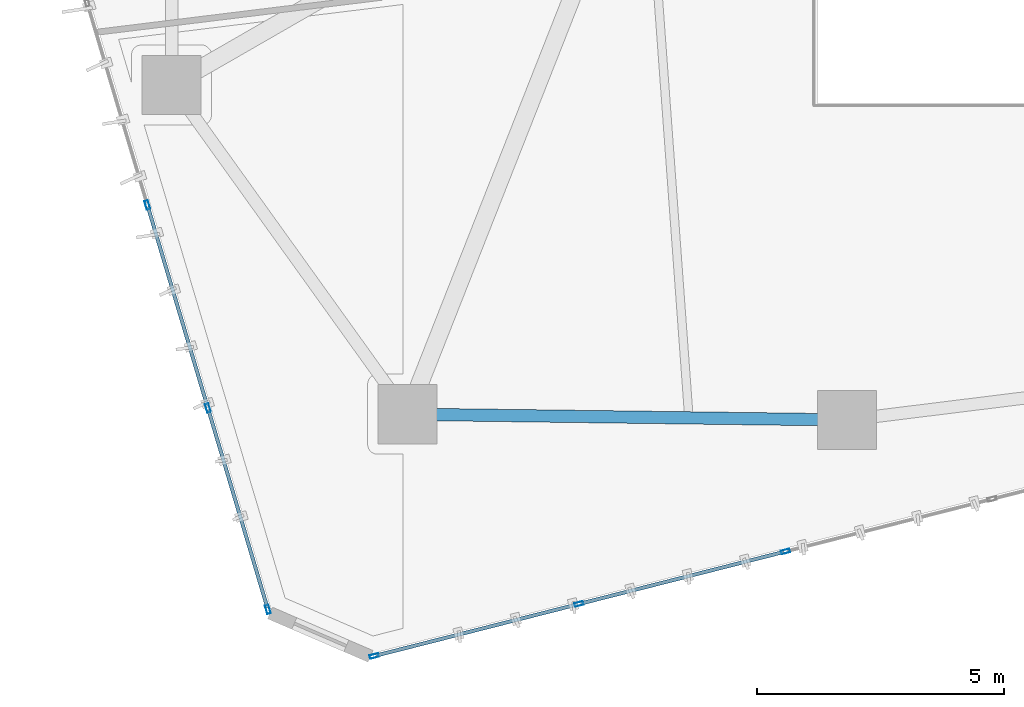
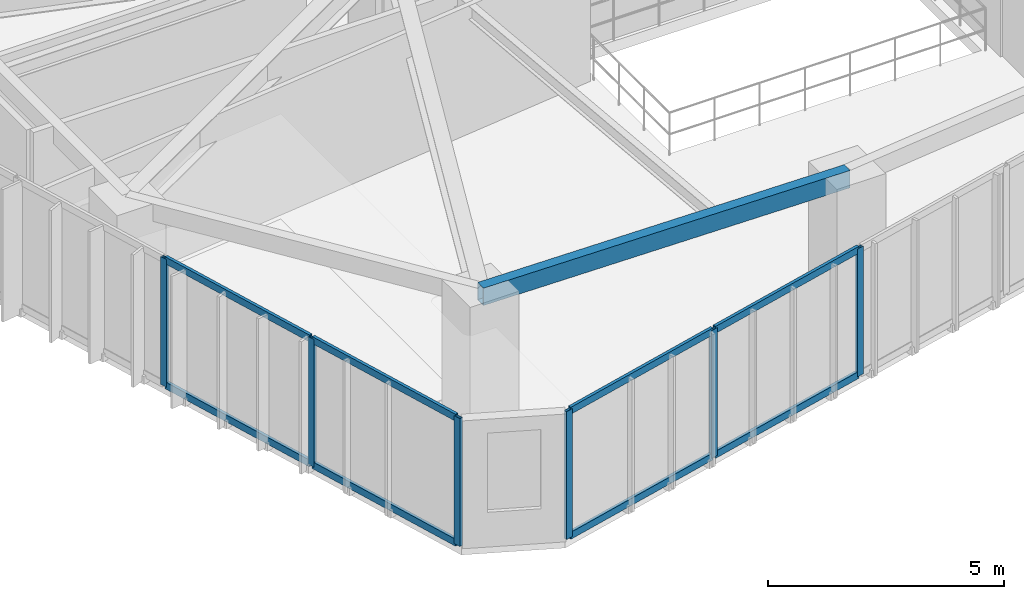
# One storey, part 2 of 20: 14 members, 1 beam, 2 elements without a shape of their own.
"""IFC4 building model written with IfcOpenShell, lengths in metres."""

import ifcopenshell
import ifcopenshell.guid

model = None  # the IFC model being written
_history = None  # IfcOwnerHistory: only IFC2X3 demands one
_inside = {}  # id of a spatial element -> (the spatial element, [elements in it])
_under = {}  # id of a project, library or spatial element -> (it, [spatial elements below it])
_declared = {}  # id of a project -> (the project, [libraries it declares])
_typed = {}  # id of a type object -> (the type object, [elements of that type])
_made_of = {}  # id of a material, layer set ... -> (it, [elements and type objects made of it])


def new_model(schema):
    """Start an empty IFC model of exactly this schema.

    Asked for "IFC4X3", IfcOpenShell would pick the latest addendum, in which some entities
    have other attributes; the version numbers below select the first issue.
    IFC2X3 requires an IfcOwnerHistory on every rooted entity: one is made here for all.
    """
    global model, _history
    if schema == "IFC4X3":
        model = ifcopenshell.file(schema_version=(4, 3, 0, 0))
    else:
        model = ifcopenshell.file(schema=schema)
    _inside.clear()
    _under.clear()
    _declared.clear()
    _typed.clear()
    _made_of.clear()
    _history = None
    if model.schema == "IFC2X3":
        org = make("IfcOrganization", Name="unknown")
        user = make(
            "IfcPersonAndOrganization",
            ThePerson=make("IfcPerson", FamilyName="unknown"),
            TheOrganization=org,
        )
        app = make(
            "IfcApplication",
            ApplicationDeveloper=org,
            Version="unknown",
            ApplicationFullName="unknown",
            ApplicationIdentifier="unknown",
        )
        _history = make(
            "IfcOwnerHistory",
            OwningUser=user,
            OwningApplication=app,
            ChangeAction="ADDED",
            CreationDate=0,
        )
    return model


def make(cls, **values):
    """One entity of the class cls with the attributes given. An attribute that is None is left unset."""
    return model.create_entity(
        cls, **{name: value for name, value in values.items() if value is not None}
    )


def rooted(cls, **values):
    """An entity with a GlobalId (a new one), such as an element, a storey or a relation."""
    return make(cls, GlobalId=ifcopenshell.guid.new(), OwnerHistory=_history, **values)


def si_unit(unit_type, name, prefix=None):
    """IfcSIUnit, for example si_unit("LENGTHUNIT", "METRE", prefix="MILLI")."""
    return make("IfcSIUnit", UnitType=unit_type, Prefix=prefix, Name=name)


def assignment(units):
    """IfcUnitAssignment: the units of a project."""
    return None if units is None else make("IfcUnitAssignment", Units=units)


def point(xyz):
    """IfcCartesianPoint."""
    return None if xyz is None else make("IfcCartesianPoint", Coordinates=xyz)


def direction(xyz):
    """IfcDirection."""
    return None if xyz is None else make("IfcDirection", DirectionRatios=xyz)


def frame(location, z_axis=None, x_axis=None):
    """IfcAxis2Placement3D, a coordinate frame: its origin and axes. An axis left out is left unset."""
    return make(
        "IfcAxis2Placement3D",
        Location=point(location),
        Axis=direction(z_axis),
        RefDirection=direction(x_axis),
    )


def frame_2d(location, x_axis=None):
    """IfcAxis2Placement2D, a coordinate frame in the plane: its origin and x axis."""
    return make(
        "IfcAxis2Placement2D", Location=point(location), RefDirection=direction(x_axis)
    )


def origin():
    """The frame at (0, 0, 0) with its axes left unset."""
    return frame((0.0, 0.0, 0.0))


def origin_2d():
    """The frame at (0, 0) in the plane with its x axis left unset."""
    return frame_2d((0.0, 0.0))


def place(relative_to, where):
    """IfcLocalPlacement: puts the frame where relative to a parent placement (None: the world)."""
    return make(
        "IfcLocalPlacement", PlacementRelTo=relative_to, RelativePlacement=where
    )


def context(
    kind, dimensions, precision=None, world=None, true_north=None, identifier=None
):
    """IfcGeometricRepresentationContext, for example the 3D "Model" context."""
    return make(
        "IfcGeometricRepresentationContext",
        ContextIdentifier=identifier,
        ContextType=kind,
        CoordinateSpaceDimension=dimensions,
        Precision=precision,
        WorldCoordinateSystem=world,
        TrueNorth=true_north,
    )


def subcontext(parent, identifier, kind, view, scale=None):
    """IfcGeometricRepresentationSubContext, for example "Body" below "Model"."""
    return make(
        "IfcGeometricRepresentationSubContext",
        ContextIdentifier=identifier,
        ContextType=kind,
        ParentContext=parent,
        TargetScale=scale,
        TargetView=view,
    )


def project(units=None, contexts=None):
    """IfcProject with its units and contexts."""
    return rooted(
        "IfcProject",
        Name="project",
        RepresentationContexts=contexts,
        UnitsInContext=assignment(units),
    )


def spatial(cls, under=None, at=None, **own):
    """A site, building, storey or space (cls), placed at a placement, below another one or the project."""
    s = rooted(cls, ObjectPlacement=at, **own)
    if under is not None:
        _under.setdefault(under.id(), (under, []))[1].append(s)
    return s


def profile(cls, at=None, kind="AREA", **sizes):
    """A parametric profile (cls). Its sizes go by their IFC names, for example OverallWidth=200.0."""
    return make(cls, ProfileType=kind, Position=at, **sizes)


def hollow_rectangle(**sizes):
    """IfcRectangleHollowProfileDef."""
    return profile("IfcRectangleHollowProfileDef", **sizes)


def extrude(swept, where, along, depth):
    """IfcExtrudedAreaSolid: the profile swept, set in the frame where, extruded along a direction by depth."""
    return make(
        "IfcExtrudedAreaSolid",
        SweptArea=swept,
        Position=where,
        ExtrudedDirection=direction(along),
        Depth=depth,
    )


def shape(context_of_items, identifier, shape_type, items):
    """IfcShapeRepresentation: the items that make up one representation, for example the "Body"."""
    return make(
        "IfcShapeRepresentation",
        ContextOfItems=context_of_items,
        RepresentationIdentifier=identifier,
        RepresentationType=shape_type,
        Items=items,
    )


def source(mapping_origin, context_of_items, identifier, shape_type, items):
    """IfcRepresentationMap: a shape defined once, which mapped items show again and again."""
    return make(
        "IfcRepresentationMap",
        MappingOrigin=mapping_origin,
        MappedRepresentation=shape(context_of_items, identifier, shape_type, items),
    )


def transform(
    local_origin,
    x_axis=None,
    y_axis=None,
    z_axis=None,
    scale=None,
    scale2=None,
    scale3=None,
    uniform=True,
):
    """IfcCartesianTransformationOperator3D, or its non-uniform kind. x_axis, y_axis, z_axis: its Axis1, 2, 3."""
    if uniform:
        return make(
            "IfcCartesianTransformationOperator3D",
            Axis1=direction(x_axis),
            Axis2=direction(y_axis),
            LocalOrigin=point(local_origin),
            Scale=scale,
            Axis3=direction(z_axis),
        )
    return make(
        "IfcCartesianTransformationOperator3DnonUniform",
        Axis1=direction(x_axis),
        Axis2=direction(y_axis),
        LocalOrigin=point(local_origin),
        Scale=scale,
        Axis3=direction(z_axis),
        Scale2=scale2,
        Scale3=scale3,
    )


def mapped(mapping_source, mapping_target):
    """IfcMappedItem: shows the shape of a source again, moved by a transform."""
    return make(
        "IfcMappedItem", MappingSource=mapping_source, MappingTarget=mapping_target
    )


def material(Name=None, Category=None):
    """IfcMaterial."""
    return make("IfcMaterial", Name=Name, Category=Category)


def layer(
    of_material, thickness, ventilated=None, Name=None, Category=None, Priority=None
):
    """IfcMaterialLayer: one layer of a wall or slab, of a material (None: an air gap)."""
    return make(
        "IfcMaterialLayer",
        Material=of_material,
        LayerThickness=thickness,
        IsVentilated=ventilated,
        Name=Name,
        Category=Category,
        Priority=Priority,
    )


def layer_set(layers, Name=None):
    """IfcMaterialLayerSet."""
    return make("IfcMaterialLayerSet", MaterialLayers=layers, LayerSetName=Name)


def material_profile(
    of_material, cross_section, Name=None, Category=None, Priority=None
):
    """IfcMaterialProfile: a cross section and its material."""
    return make(
        "IfcMaterialProfile",
        Name=Name,
        Material=of_material,
        Profile=cross_section,
        Priority=Priority,
        Category=Category,
    )


def profile_set(profiles, Name=None, composite=None):
    """IfcMaterialProfileSet."""
    return make(
        "IfcMaterialProfileSet",
        Name=Name,
        MaterialProfiles=profiles,
        CompositeProfile=composite,
    )


def made_of(thing, what):
    """Note that an element or type object is made of a material, layer set ...; save() writes the relation."""
    if what is not None:
        _made_of.setdefault(what.id(), (what, []))[1].append(thing)
    return thing


def type_object(cls, material=None, **own):
    """A type object (cls), such as IfcWallType, which elements share."""
    return made_of(rooted(cls, **own), material)


def type_shapes(of_type, sources):
    """Give a type object the sources (RepresentationMaps) that its elements show as mapped items."""
    of_type.RepresentationMaps = sources


def element(
    cls,
    number,
    at=None,
    inside=None,
    cuts=None,
    type_object=None,
    material=None,
    context=None,
    identifier="Body",
    shape_type=None,
    held_by="IfcProductDefinitionShape",
    body=None,
    shapes=None,
    **own,
):
    """One element of the class cls, such as IfcWall. Its Tag is "e" and its number.

    at: its placement. inside: the storey or other place that contains it. cuts: it is an
    opening in that element (IfcRelVoidsElement). A single representation is given by context,
    identifier, shape_type and body (its items); several are given by shapes. held_by: the class
    of the entity that holds the representations. save() writes the other relations.
    """
    e = rooted(cls, Tag="e%d" % number, ObjectPlacement=at, **own)
    if body is not None:
        shapes = [shape(context, identifier, shape_type, body)]
    if shapes is not None:
        e.Representation = make(held_by, Representations=shapes)
    if inside is not None:
        _inside.setdefault(inside.id(), (inside, []))[1].append(e)
    if cuts is not None:
        rooted(
            "IfcRelVoidsElement", RelatingBuildingElement=cuts, RelatedOpeningElement=e
        )
    if type_object is not None:
        _typed.setdefault(type_object.id(), (type_object, []))[1].append(e)
    return made_of(e, material)


def aggregate(whole, parts):
    """IfcRelAggregates: a whole, such as a stair, and the parts it consists of."""
    return rooted("IfcRelAggregates", RelatingObject=whole, RelatedObjects=parts)


def save(model, path):
    """Write the relations noted so far, then the file.

    IfcRelAggregates (storeys below a building ...), IfcRelContainedInSpatialStructure (elements
    in a storey), IfcRelDefinesByType, IfcRelAssociatesMaterial and IfcRelDeclares: one each for
    every whole, place, type object, material and project.
    """
    for whole, parts in _under.values():
        aggregate(whole, parts)
    for where, things in _inside.values():
        rooted(
            "IfcRelContainedInSpatialStructure",
            RelatedElements=things,
            RelatingStructure=where,
        )
    for kind, things in _typed.values():
        rooted("IfcRelDefinesByType", RelatedObjects=things, RelatingType=kind)
    for what, things in _made_of.values():
        rooted("IfcRelAssociatesMaterial", RelatedObjects=things, RelatingMaterial=what)
    for by, libraries in _declared.values():
        rooted("IfcRelDeclares", RelatingContext=by, RelatedDefinitions=libraries)
    model.write(path)


model = new_model("IFC4")

# Units and contexts
model_context = context("Model", 3, precision=1e-05, world=origin(), true_north=direction((0.0, 1.0)))
body_context = subcontext(model_context, "Body", "Model", "MODEL_VIEW")
ifc_project = project(units=[si_unit("LENGTHUNIT", "METRE"), si_unit("AREAUNIT", "SQUARE_METRE"), si_unit("VOLUMEUNIT", "CUBIC_METRE"), si_unit("PLANEANGLEUNIT", "RADIAN"), si_unit("MASSUNIT", "GRAM", prefix="KILO")], contexts=[model_context])

# Site, building, storey
site_placement = place(None, origin())
site = spatial("IfcSite", under=ifc_project, at=site_placement, CompositionType="ELEMENT")
building_placement = place(site_placement, origin())
building = spatial("IfcBuilding", under=site, at=building_placement, Name="Talar Marvaseh", CompositionType="ELEMENT")
storey_placement = place(building_placement, frame((0.0, 0.0, 132.60009765625)))
storey = spatial("IfcBuildingStorey", under=building, at=storey_placement, Name="L34", CompositionType="ELEMENT", Elevation=132.60009765625)

# Beam
ifc_material_1 = material(Name="Steel S355", Category="steel")
ifc_material_profile_1 = material_profile(ifc_material_1, hollow_rectangle(XDim=0.25, YDim=0.449951171875, WallThickness=0.01611328125, at=origin_2d()), Name="RHS450x250x16")
ifc_profile_set_1 = profile_set([ifc_material_profile_1], Name="Steel S355")
beam_type = type_object("IfcBeamType", Name="Zone 2 Perimeter Spandrel Beam RHS450x250x16", PredefinedType="SPANDREL", material=ifc_profile_set_1)
beam_placement = place(storey_placement, frame((22.804931640625, 13.18310546875, 3.0849609375), z_axis=(-0.999915383581, 0.013008677034, 0.0), x_axis=(-0.013008677034, -0.999915383581, 0.0)))
element("IfcBeam", 1, at=beam_placement, inside=storey, type_object=beam_type, Name="L34 Zone 2 Perimeter Spandrel Beam RHS450x250x16", PredefinedType="SPANDREL", context=body_context, shape_type="SweptSolid", body=[
    extrude(hollow_rectangle(XDim=0.25, YDim=0.449951171875, WallThickness=0.01611328125, at=origin_2d()), origin(), (0.0, 0.0, 1.0), 8.91455078125),
])

# Curtain wall, members
ifc_material_2 = material(Name="Architectural Aluminium", Category="aluminium")
ifc_layer = layer(ifc_material_2, 0.199951171875)
ifc_layer_set = layer_set([ifc_layer], Name="Architectural Aluminium")
curtain_wall_type = type_object("IfcCurtainWallType", Name="Unitised Acoustic Library Curtain Wall Z2", PredefinedType="NOTDEFINED", material=ifc_layer_set)
curtain_wall_1_placement = place(storey_placement, origin())
curtain_wall_1 = element("IfcCurtainWall", 2, at=curtain_wall_1_placement, inside=storey, type_object=curtain_wall_type, Name="L34 Unitised Acoustic Library Curtain Wall Z2", PredefinedType="NOTDEFINED")
ifc_material_profile_2 = material_profile(ifc_material_2, hollow_rectangle(XDim=0.074951171875, YDim=0.179931640625, WallThickness=0.0048828125, at=origin_2d()), Name="RHS180x75x5")
ifc_profile_set_2 = profile_set([ifc_material_profile_2], Name="Architectural Aluminium")
member_type_1 = type_object("IfcMemberType", Name="Unitised Curtain Wall Transom RHS180x75x5", PredefinedType="USERDEFINED", material=ifc_profile_set_2)
shared_shape_1 = source(origin(), body_context, "Body", "SweptSolid", [
    extrude(hollow_rectangle(XDim=0.074951171875, YDim=0.179931640625, WallThickness=0.0048828125, at=origin_2d()), origin(), (0.0, 0.0, 1.0), 4.185302734375),
])
member_1_placement = place(storey_placement, frame((11.046142578125, 9.376220703125, 0.037353515625), z_axis=(-0.285597421771, 0.958349681837, 0.0), x_axis=(-0.958349681837, -0.285597421771, 0.0)))
member_1 = element("IfcMember", 3, at=member_1_placement, type_object=member_type_1, Name="CW-Z2 transom 1.1", ObjectType="TRANSOM", PredefinedType="USERDEFINED", context=body_context, shape_type="MappedRepresentation", body=[
    mapped(shared_shape_1, transform((0.0, 0.0, 0.0), x_axis=(1.0, 0.0, 0.0), y_axis=(0.0, 1.0, 0.0), z_axis=(0.0, 0.0, 1.0), scale=1.0)),
])
member_2_placement = place(storey_placement, frame((11.046142578125, 9.376220703125, 3.2724609375), z_axis=(-0.285597421771, 0.958349681837, 0.0), x_axis=(-0.958349681837, -0.285597421771, 0.0)))
member_2 = element("IfcMember", 4, at=member_2_placement, type_object=member_type_1, Name="CW-Z2 transom 1.2", ObjectType="TRANSOM", PredefinedType="USERDEFINED", context=body_context, shape_type="MappedRepresentation", body=[
    mapped(shared_shape_1, transform((0.0, 0.0, 0.0), x_axis=(1.0, 0.0, 0.0), y_axis=(0.0, 1.0, 0.0), z_axis=(0.0, 0.0, 1.0), scale=1.0)),
])
shared_shape_2 = source(origin(), body_context, "Body", "SweptSolid", [
    extrude(hollow_rectangle(XDim=0.074951171875, YDim=0.179931640625, WallThickness=0.0048828125, at=origin_2d()), origin(), (0.0, 0.0, 1.0), 4.222900390625),
])
member_3_placement = place(storey_placement, frame((9.829345703125, 13.459228515625, 0.037353515625), z_axis=(-0.285660745904, 0.958330808359, 0.0), x_axis=(-0.958330808359, -0.285660745904, 0.0)))
member_3 = element("IfcMember", 5, at=member_3_placement, type_object=member_type_1, Name="CW-Z2 transom 2.1", ObjectType="TRANSOM", PredefinedType="USERDEFINED", context=body_context, shape_type="MappedRepresentation", body=[
    mapped(shared_shape_2, transform((0.0, 0.0, 0.0), x_axis=(1.0, 0.0, 0.0), y_axis=(0.0, 1.0, 0.0), z_axis=(0.0, 0.0, 1.0), scale=1.0)),
])
member_4_placement = place(storey_placement, frame((9.829345703125, 13.459228515625, 3.2724609375), z_axis=(-0.285660745904, 0.958330808359, 0.0), x_axis=(-0.958330808359, -0.285660745904, 0.0)))
member_4 = element("IfcMember", 6, at=member_4_placement, type_object=member_type_1, Name="CW-Z2 transom 2.2", ObjectType="TRANSOM", PredefinedType="USERDEFINED", context=body_context, shape_type="MappedRepresentation", body=[
    mapped(shared_shape_2, transform((0.0, 0.0, 0.0), x_axis=(1.0, 0.0, 0.0), y_axis=(0.0, 1.0, 0.0), z_axis=(0.0, 0.0, 1.0), scale=1.0)),
])

curtain_wall_2_placement = place(storey_placement, origin())
curtain_wall_2 = element("IfcCurtainWall", 7, at=curtain_wall_2_placement, inside=storey, type_object=curtain_wall_type, Name="L34 Unitised Acoustic Library Curtain Wall Z2", PredefinedType="NOTDEFINED")
shared_shape_3 = source(origin(), body_context, "Body", "SweptSolid", [
    extrude(hollow_rectangle(XDim=0.074951171875, YDim=0.179931640625, WallThickness=0.0048828125, at=origin_2d()), origin(), (0.0, 0.0, 1.0), 4.211181640625),
])
member_5_placement = place(storey_placement, frame((17.329345703125, 9.44140625, 0.037353515625), z_axis=(-0.969183547342, -0.246339707642, 0.0), x_axis=(0.246339707642, -0.969183547342, 0.0)))
member_5 = element("IfcMember", 8, at=member_5_placement, type_object=member_type_1, Name="CW-Z2 transom 5.1", ObjectType="TRANSOM", PredefinedType="USERDEFINED", context=body_context, shape_type="MappedRepresentation", body=[
    mapped(shared_shape_3, transform((0.0, 0.0, 0.0), x_axis=(1.0, 0.0, 0.0), y_axis=(0.0, 1.0, 0.0), z_axis=(0.0, 0.0, 1.0), scale=1.0)),
])
member_6_placement = place(storey_placement, frame((17.329345703125, 9.44140625, 3.2724609375), z_axis=(-0.969183547342, -0.246339707642, 0.0), x_axis=(0.246339707642, -0.969183547342, 0.0)))
member_6 = element("IfcMember", 9, at=member_6_placement, type_object=member_type_1, Name="CW-Z2 transom 5.2", ObjectType="TRANSOM", PredefinedType="USERDEFINED", context=body_context, shape_type="MappedRepresentation", body=[
    mapped(shared_shape_3, transform((0.0, 0.0, 0.0), x_axis=(1.0, 0.0, 0.0), y_axis=(0.0, 1.0, 0.0), z_axis=(0.0, 0.0, 1.0), scale=1.0)),
])
shared_shape_4 = source(origin(), body_context, "Body", "SweptSolid", [
    extrude(hollow_rectangle(XDim=0.074951171875, YDim=0.179931640625, WallThickness=0.0048828125, at=origin_2d()), origin(), (0.0, 0.0, 1.0), 4.248291015625),
])
type_shapes(member_type_1, [shared_shape_1, shared_shape_2, shared_shape_3, shared_shape_4])
member_7_placement = place(storey_placement, frame((21.51953125, 10.50634765625, 0.037353515625), z_axis=(-0.969178299385, -0.246360353956, 0.0), x_axis=(0.246360353956, -0.969178299385, 0.0)))
member_7 = element("IfcMember", 10, at=member_7_placement, type_object=member_type_1, Name="CW-Z2 transom 4.1", ObjectType="TRANSOM", PredefinedType="USERDEFINED", context=body_context, shape_type="MappedRepresentation", body=[
    mapped(shared_shape_4, transform((0.0, 0.0, 0.0), x_axis=(1.0, 0.0, 0.0), y_axis=(0.0, 1.0, 0.0), z_axis=(0.0, 0.0, 1.0), scale=1.0)),
])
member_8_placement = place(storey_placement, frame((21.51953125, 10.50634765625, 3.2724609375), z_axis=(-0.969178299385, -0.246360353956, 0.0), x_axis=(0.246360353956, -0.969178299385, 0.0)))
member_8 = element("IfcMember", 11, at=member_8_placement, type_object=member_type_1, Name="CW-Z2 transom 4.2", ObjectType="TRANSOM", PredefinedType="USERDEFINED", context=body_context, shape_type="MappedRepresentation", body=[
    mapped(shared_shape_4, transform((0.0, 0.0, 0.0), x_axis=(1.0, 0.0, 0.0), y_axis=(0.0, 1.0, 0.0), z_axis=(0.0, 0.0, 1.0), scale=1.0)),
])

# Member
ifc_material_profile_3 = material_profile(ifc_material_2, hollow_rectangle(XDim=0.074951171875, YDim=0.179931640625, WallThickness=0.0048828125, at=origin_2d()), Name="RHS180x75x5")
ifc_profile_set_3 = profile_set([ifc_material_profile_3], Name="Architectural Aluminium")
member_type_2 = type_object("IfcMemberType", Name="Unitised Curtain Wall Standard Mullion RHS180x75x5", PredefinedType="MULLION", material=ifc_profile_set_3)
shared_shape_5 = source(origin(), body_context, "Body", "SweptSolid", [
    extrude(hollow_rectangle(XDim=0.074951171875, YDim=0.179931640625, WallThickness=0.0048828125, at=origin_2d()), origin(), (0.0, 0.0, 1.0), 3.309814453125),
])
type_shapes(member_type_2, [shared_shape_5])
member_9_placement = place(storey_placement, frame((11.056884765625, 9.34033203125, 0.0), z_axis=(0.0, 0.0, 1.0), x_axis=(-0.958340569075, -0.28562799874, 0.0)))
member_9 = element("IfcMember", 12, at=member_9_placement, type_object=member_type_2, Name="CW-Z2 mullion 1", PredefinedType="MULLION", context=body_context, shape_type="MappedRepresentation", body=[
    mapped(shared_shape_5, transform((0.0, 0.0, 0.0), x_axis=(1.0, 0.0, 0.0), y_axis=(0.0, 1.0, 0.0), z_axis=(0.0, 0.0, 1.0), scale=1.0)),
])

member_10_placement = place(storey_placement, frame((9.840087890625, 13.42333984375, 0.0), z_axis=(0.0, 0.0, 1.0), x_axis=(-0.958340569075, -0.28562799874, 0.0)))
member_10 = element("IfcMember", 13, at=member_10_placement, type_object=member_type_2, Name="CW-Z2 mullion 2", PredefinedType="MULLION", context=body_context, shape_type="MappedRepresentation", body=[
    mapped(shared_shape_5, transform((0.0, 0.0, 0.0), x_axis=(1.0, 0.0, 0.0), y_axis=(0.0, 1.0, 0.0), z_axis=(0.0, 0.0, 1.0), scale=1.0)),
])

member_11_placement = place(storey_placement, frame((8.6123046875, 17.5419921875, 0.0), z_axis=(0.0, 0.0, 1.0), x_axis=(-0.958340569075, -0.28562799874, 0.0)))
member_11 = element("IfcMember", 14, at=member_11_placement, type_object=member_type_2, Name="CW-Z2 mullion 3", PredefinedType="MULLION", context=body_context, shape_type="MappedRepresentation", body=[
    mapped(shared_shape_5, transform((0.0, 0.0, 0.0), x_axis=(1.0, 0.0, 0.0), y_axis=(0.0, 1.0, 0.0), z_axis=(0.0, 0.0, 1.0), scale=1.0)),
])

aggregate(curtain_wall_1, [member_9, member_10, member_11, member_1, member_2, member_3, member_4])

member_12_placement = place(storey_placement, frame((21.555908203125, 10.515380859375, 0.0), z_axis=(0.0, 0.0, 1.0), x_axis=(0.246303040648, -0.969192866342, 0.0)))
member_12 = element("IfcMember", 15, at=member_12_placement, type_object=member_type_2, Name="CW-Z2 mullion 4", PredefinedType="MULLION", context=body_context, shape_type="MappedRepresentation", body=[
    mapped(shared_shape_5, transform((0.0, 0.0, 0.0), x_axis=(1.0, 0.0, 0.0), y_axis=(0.0, 1.0, 0.0), z_axis=(0.0, 0.0, 1.0), scale=1.0)),
])

member_13_placement = place(storey_placement, frame((17.36572265625, 9.45068359375, 0.0), z_axis=(0.0, 0.0, 1.0), x_axis=(0.246303040648, -0.969192866342, 0.0)))
member_13 = element("IfcMember", 16, at=member_13_placement, type_object=member_type_2, Name="CW-Z2 mullion 5", PredefinedType="MULLION", context=body_context, shape_type="MappedRepresentation", body=[
    mapped(shared_shape_5, transform((0.0, 0.0, 0.0), x_axis=(1.0, 0.0, 0.0), y_axis=(0.0, 1.0, 0.0), z_axis=(0.0, 0.0, 1.0), scale=1.0)),
])

member_14_placement = place(storey_placement, frame((13.211669921875, 8.39501953125, 0.0), z_axis=(0.0, 0.0, 1.0), x_axis=(0.246303040648, -0.969192866342, 0.0)))
member_14 = element("IfcMember", 17, at=member_14_placement, type_object=member_type_2, Name="CW-Z2 mullion 6", PredefinedType="MULLION", context=body_context, shape_type="MappedRepresentation", body=[
    mapped(shared_shape_5, transform((0.0, 0.0, 0.0), x_axis=(1.0, 0.0, 0.0), y_axis=(0.0, 1.0, 0.0), z_axis=(0.0, 0.0, 1.0), scale=1.0)),
])

aggregate(curtain_wall_2, [member_12, member_13, member_14, member_7, member_8, member_5, member_6])

save(model, "model.ifc")
